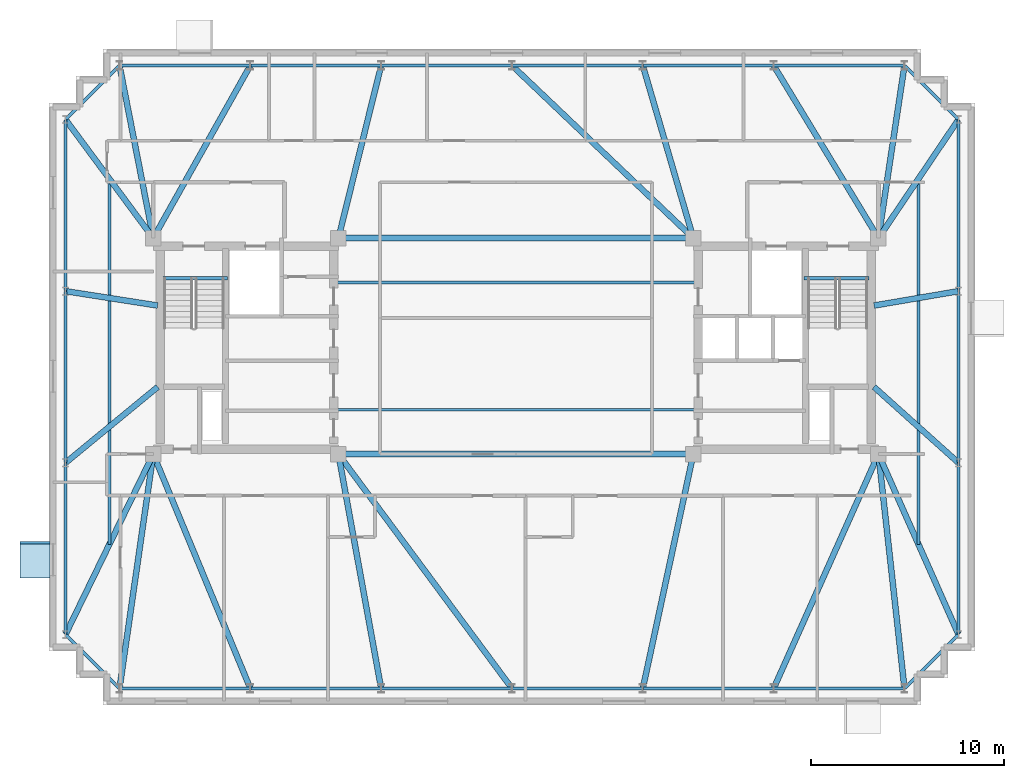
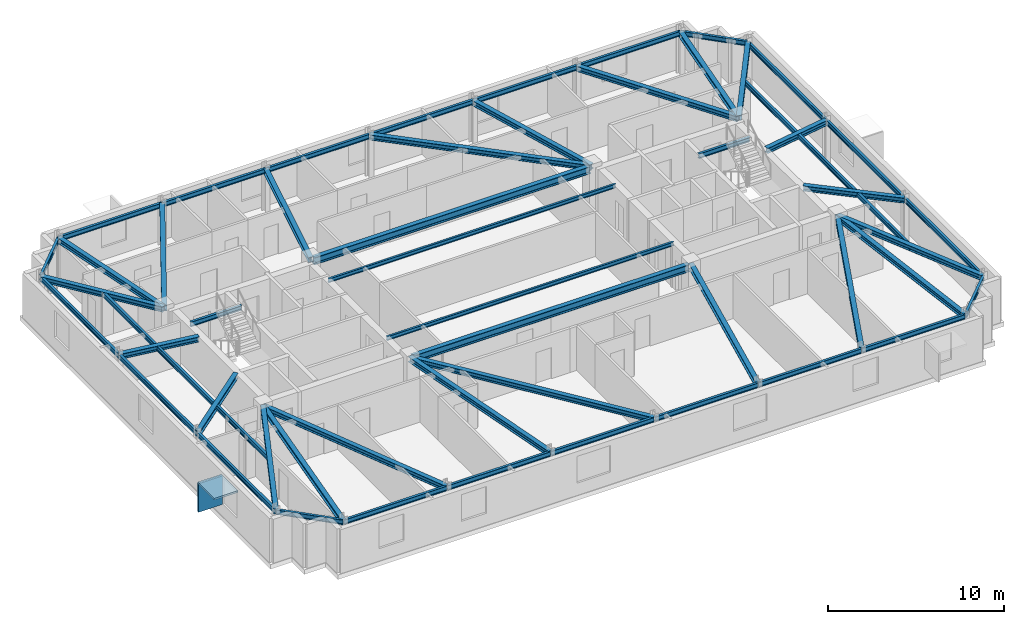
# One storey, part 4 of 11: 52 beams, 2 plates.
"""IFC4 building model written with IfcOpenShell, lengths in metres."""

from ifc_helpers import new_model, si_unit, direction, frame, origin, origin_2d, place, context, subcontext, project, spatial, rectangle, i_section, extrude, material, layer, layer_set, material_profile, profile_set, type_object, element, save


model = new_model("IFC4")

# Units and contexts
model_context = context("Model", 3, precision=1e-05, world=origin(), true_north=direction((0.0, 1.0)))
body_context = subcontext(model_context, "Body", "Model", "MODEL_VIEW")
ifc_project = project(units=[si_unit("LENGTHUNIT", "METRE"), si_unit("AREAUNIT", "SQUARE_METRE"), si_unit("VOLUMEUNIT", "CUBIC_METRE"), si_unit("PLANEANGLEUNIT", "RADIAN"), si_unit("MASSUNIT", "GRAM", prefix="KILO")], contexts=[model_context])

# Site, building, storey
site_placement = place(None, origin())
site = spatial("IfcSite", under=ifc_project, at=site_placement, CompositionType="ELEMENT")
building_placement = place(site_placement, origin())
building = spatial("IfcBuilding", under=site, at=building_placement, Name="Qobustan Lattice House", CompositionType="ELEMENT")
storey_placement = place(building_placement, frame((0.0, 0.0, 251.75)))
storey = spatial("IfcBuildingStorey", under=building, at=storey_placement, Name="L71", CompositionType="ELEMENT", Elevation=251.75)

# Beams
ifc_material_1 = material(Name="Steel S355", Category="steel")
ifc_material_profile_1 = material_profile(ifc_material_1, i_section(OverallWidth=0.300048828125, OverallDepth=0.5, WebThickness=0.014404296875, FlangeThickness=0.028076171875, FilletRadius=0.027099609375, at=origin_2d()), Name="HEB500")
ifc_profile_set_1 = profile_set([ifc_material_profile_1], Name="Steel S355")
beam_type_1 = type_object("IfcBeamType", Name="BM-CG-HEB500", PredefinedType="USERDEFINED", material=ifc_profile_set_1)
for number, where, z_axis, x_axis, name in (
    (1, (-9.050048828125, -5.60009765625, 2.7900390625), (1.0, 0.0, 0.0), (0.0, 1.0, 0.0), "L71 core spine girder CG-CS"),
    (2, (-9.050048828125, 5.60009765625, 2.7900390625), (1.0, 0.0, 0.0), (0.0, 1.0, 0.0), "L71 core spine girder CG-CN"),
):
    element("IfcBeam", number, at=place(storey_placement, frame(where, z_axis=z_axis, x_axis=x_axis)), inside=storey, type_object=beam_type_1, Name=name, ObjectType="GIRDER", PredefinedType="USERDEFINED", context=body_context, shape_type="SweptSolid", body=[
        extrude(i_section(OverallWidth=0.300048828125, OverallDepth=0.5, WebThickness=0.014404296875, FlangeThickness=0.028076171875, FilletRadius=0.027099609375, at=origin_2d()), origin(), (0.0, 0.0, 1.0), 18.10009765625),
    ])
ifc_material_2 = material(Name="Steel S355", Category="steel")
ifc_material_profile_2 = material_profile(ifc_material_2, i_section(OverallWidth=0.300048828125, OverallDepth=0.360107421875, WebThickness=0.012451171875, FlangeThickness=0.0224609375, FilletRadius=0.027099609375, at=origin_2d()), Name="HEB360")
ifc_profile_set_2 = profile_set([ifc_material_profile_2], Name="Steel S355")
beam_type_2 = type_object("IfcBeamType", Name="BM-FLG-HEB360", PredefinedType="USERDEFINED", material=ifc_profile_set_2)
beam_1_placement = place(storey_placement, frame((-20.54638671875, -17.725341796875, 2.860107421875), z_axis=(0.142545171265, 0.989788297642, 0.0), x_axis=(-0.989788297642, 0.142545171265, 0.0)))
element("IfcBeam", 3, at=beam_1_placement, inside=storey, type_object=beam_type_2, Name="L71 primary floor girder RAD-S1W", ObjectType="GIRDER", PredefinedType="USERDEFINED", context=body_context, shape_type="SweptSolid", body=[
    extrude(i_section(OverallWidth=0.300048828125, OverallDepth=0.360107421875, WebThickness=0.012451171875, FlangeThickness=0.0224609375, FilletRadius=0.027099609375, at=origin_2d()), origin(), (0.0, 0.0, 1.0), 12.225341796875),
])
beam_2_placement = place(storey_placement, frame((-13.7763671875, -17.726806640625, 2.860107421875), z_axis=(-0.38270783551, 0.92386942402, 0.0), x_axis=(-0.92386942402, -0.38270783551, 0.0)))
element("IfcBeam", 4, at=beam_2_placement, inside=storey, type_object=beam_type_2, Name="L71 primary floor girder RAD-S2", ObjectType="GIRDER", PredefinedType="USERDEFINED", context=body_context, shape_type="SweptSolid", body=[
    extrude(i_section(OverallWidth=0.300048828125, OverallDepth=0.360107421875, WebThickness=0.012451171875, FlangeThickness=0.0224609375, FilletRadius=0.027099609375, at=origin_2d()), origin(), (0.0, 0.0, 1.0), 13.10107421875),
])
beam_3_placement = place(storey_placement, frame((-6.98779296875, -17.725341796875, 2.860107421875), z_axis=(-0.179484493831, 0.983760802469, 0.0), x_axis=(-0.983760802469, -0.179484493831, 0.0)))
element("IfcBeam", 5, at=beam_3_placement, inside=storey, type_object=beam_type_2, Name="L71 primary floor girder RAD-S3", ObjectType="GIRDER", PredefinedType="USERDEFINED", context=body_context, shape_type="SweptSolid", body=[
    extrude(i_section(OverallWidth=0.300048828125, OverallDepth=0.360107421875, WebThickness=0.012451171875, FlangeThickness=0.0224609375, FilletRadius=0.027099609375, at=origin_2d()), origin(), (0.0, 0.0, 1.0), 12.300537109375),
])
beam_4_placement = place(storey_placement, frame((-0.21484375, -17.72998046875, 2.860107421875), z_axis=(-0.595225226069, 0.803558915233, 0.0), x_axis=(-0.803558915233, -0.595225226069, 0.0)))
element("IfcBeam", 6, at=beam_4_placement, inside=storey, type_object=beam_type_2, Name="L71 primary floor girder RAD-S4", ObjectType="GIRDER", PredefinedType="USERDEFINED", context=body_context, shape_type="SweptSolid", body=[
    extrude(i_section(OverallWidth=0.300048828125, OverallDepth=0.360107421875, WebThickness=0.012451171875, FlangeThickness=0.0224609375, FilletRadius=0.027099609375, at=origin_2d()), origin(), (0.0, 0.0, 1.0), 15.0703125),
])
beam_5_placement = place(storey_placement, frame((6.588623046875, -17.7255859375, 2.860107421875), z_axis=(0.210523018319, 0.977588900693, 0.0), x_axis=(-0.977588900693, 0.210523018319, 0.0)))
element("IfcBeam", 7, at=beam_5_placement, inside=storey, type_object=beam_type_2, Name="L71 primary floor girder RAD-S5", ObjectType="GIRDER", PredefinedType="USERDEFINED", context=body_context, shape_type="SweptSolid", body=[
    extrude(i_section(OverallWidth=0.300048828125, OverallDepth=0.360107421875, WebThickness=0.012451171875, FlangeThickness=0.0224609375, FilletRadius=0.027099609375, at=origin_2d()), origin(), (0.0, 0.0, 1.0), 12.37841796875),
])
beam_6_placement = place(storey_placement, frame((13.376953125, -17.727294921875, 2.860107421875), z_axis=(0.408219903586, 0.912883623643, 0.0), x_axis=(-0.912883623643, 0.408219903586, 0.0)))
element("IfcBeam", 8, at=beam_6_placement, inside=storey, type_object=beam_type_2, Name="L71 primary floor girder RAD-S6", ObjectType="GIRDER", PredefinedType="USERDEFINED", context=body_context, shape_type="SweptSolid", body=[
    extrude(i_section(OverallWidth=0.300048828125, OverallDepth=0.360107421875, WebThickness=0.012451171875, FlangeThickness=0.0224609375, FilletRadius=0.027099609375, at=origin_2d()), origin(), (0.0, 0.0, 1.0), 13.259521484375),
])
beam_7_placement = place(storey_placement, frame((20.147216796875, -17.72509765625, 2.860107421875), z_axis=(-0.110431526075, 0.993883734674, 0.0), x_axis=(-0.993883734674, -0.110431526075, 0.0)))
element("IfcBeam", 9, at=beam_7_placement, inside=storey, type_object=beam_type_2, Name="L71 primary floor girder RAD-S7E", ObjectType="GIRDER", PredefinedType="USERDEFINED", context=body_context, shape_type="SweptSolid", body=[
    extrude(i_section(OverallWidth=0.300048828125, OverallDepth=0.360107421875, WebThickness=0.012451171875, FlangeThickness=0.0224609375, FilletRadius=0.027099609375, at=origin_2d()), origin(), (0.0, 0.0, 1.0), 12.1748046875),
])
beam_8_placement = place(storey_placement, frame((-20.545166015625, 14.525390625, 2.860107421875), z_axis=(0.191905644581, -0.981413380578, 0.0), x_axis=(0.981413380578, 0.191905644581, 0.0)))
element("IfcBeam", 10, at=beam_8_placement, inside=storey, type_object=beam_type_2, Name="L71 primary floor girder RAD-N7W", ObjectType="GIRDER", PredefinedType="USERDEFINED", context=body_context, shape_type="SweptSolid", body=[
    extrude(i_section(OverallWidth=0.300048828125, OverallDepth=0.360107421875, WebThickness=0.012451171875, FlangeThickness=0.0224609375, FilletRadius=0.027099609375, at=origin_2d()), origin(), (0.0, 0.0, 1.0), 9.0693359375),
])
beam_9_placement = place(storey_placement, frame((-13.779052734375, 14.5283203125, 2.860107421875), z_axis=(-0.490160276962, -0.871632320929, 0.0), x_axis=(0.871632320929, -0.490160276962, 0.0)))
element("IfcBeam", 11, at=beam_9_placement, inside=storey, type_object=beam_type_2, Name="L71 primary floor girder RAD-N6", ObjectType="GIRDER", PredefinedType="USERDEFINED", context=body_context, shape_type="SweptSolid", body=[
    extrude(i_section(OverallWidth=0.300048828125, OverallDepth=0.360107421875, WebThickness=0.012451171875, FlangeThickness=0.0224609375, FilletRadius=0.027099609375, at=origin_2d()), origin(), (0.0, 0.0, 1.0), 10.21826171875),
])
beam_10_placement = place(storey_placement, frame((-6.9892578125, 14.525634765625, 2.860107421875), z_axis=(-0.240430288899, -0.970666408289, 0.0), x_axis=(0.970666408289, -0.240430288899, 0.0)))
element("IfcBeam", 12, at=beam_10_placement, inside=storey, type_object=beam_type_2, Name="L71 primary floor girder RAD-N5", ObjectType="GIRDER", PredefinedType="USERDEFINED", context=body_context, shape_type="SweptSolid", body=[
    extrude(i_section(OverallWidth=0.300048828125, OverallDepth=0.360107421875, WebThickness=0.012451171875, FlangeThickness=0.0224609375, FilletRadius=0.027099609375, at=origin_2d()), origin(), (0.0, 0.0, 1.0), 9.17041015625),
])
beam_11_placement = place(storey_placement, frame((-0.181884765625, 14.53271484375, 2.860107421875), z_axis=(0.724228633775, -0.689559921995, 0.0), x_axis=(0.689559921995, 0.724228633775, 0.0)))
element("IfcBeam", 13, at=beam_11_placement, inside=storey, type_object=beam_type_2, Name="L71 primary floor girder RAD-N4", ObjectType="GIRDER", PredefinedType="USERDEFINED", context=body_context, shape_type="SweptSolid", body=[
    extrude(i_section(OverallWidth=0.300048828125, OverallDepth=0.360107421875, WebThickness=0.012451171875, FlangeThickness=0.0224609375, FilletRadius=0.027099609375, at=origin_2d()), origin(), (0.0, 0.0, 1.0), 12.92919921875),
])
beam_12_placement = place(storey_placement, frame((6.59033203125, 14.52587890625, 2.860107421875), z_axis=(0.28063676088, -0.959814048888, 0.0), x_axis=(0.959814048888, 0.28063676088, 0.0)))
element("IfcBeam", 14, at=beam_12_placement, inside=storey, type_object=beam_type_2, Name="L71 primary floor girder RAD-N3", ObjectType="GIRDER", PredefinedType="USERDEFINED", context=body_context, shape_type="SweptSolid", body=[
    extrude(i_section(OverallWidth=0.300048828125, OverallDepth=0.360107421875, WebThickness=0.012451171875, FlangeThickness=0.0224609375, FilletRadius=0.027099609375, at=origin_2d()), origin(), (0.0, 0.0, 1.0), 9.274658203125),
])
beam_13_placement = place(storey_placement, frame((13.379638671875, 14.528564453125, 2.860107421875), z_axis=(0.518943895492, -0.854808302096, 0.0), x_axis=(0.854808302096, 0.518943895492, 0.0)))
element("IfcBeam", 15, at=beam_13_placement, inside=storey, type_object=beam_type_2, Name="L71 primary floor girder RAD-N2", ObjectType="GIRDER", PredefinedType="USERDEFINED", context=body_context, shape_type="SweptSolid", body=[
    extrude(i_section(OverallWidth=0.300048828125, OverallDepth=0.360107421875, WebThickness=0.012451171875, FlangeThickness=0.0224609375, FilletRadius=0.027099609375, at=origin_2d()), origin(), (0.0, 0.0, 1.0), 10.420166015625),
])
beam_14_placement = place(storey_placement, frame((20.146240234375, 14.525390625, 2.860107421875), z_axis=(-0.149148118249, -0.988814865798, 0.0), x_axis=(0.988814865798, -0.149148118249, 0.0)))
element("IfcBeam", 16, at=beam_14_placement, inside=storey, type_object=beam_type_2, Name="L71 primary floor girder RAD-N1E", ObjectType="GIRDER", PredefinedType="USERDEFINED", context=body_context, shape_type="SweptSolid", body=[
    extrude(i_section(OverallWidth=0.300048828125, OverallDepth=0.360107421875, WebThickness=0.012451171875, FlangeThickness=0.0224609375, FilletRadius=0.027099609375, at=origin_2d()), origin(), (0.0, 0.0, 1.0), 9.001220703125),
])
beam_15_placement = place(storey_placement, frame((-23.335205078125, 11.72998046875, 2.860107421875), z_axis=(0.594754993974, -0.80390702021, 0.0), x_axis=(0.80390702021, 0.594754993974, 0.0)))
element("IfcBeam", 17, at=beam_15_placement, inside=storey, type_object=beam_type_2, Name="L71 primary floor girder RAD-W1", ObjectType="GIRDER", PredefinedType="USERDEFINED", context=body_context, shape_type="SweptSolid", body=[
    extrude(i_section(OverallWidth=0.300048828125, OverallDepth=0.360107421875, WebThickness=0.012451171875, FlangeThickness=0.0224609375, FilletRadius=0.027099609375, at=origin_2d()), origin(), (0.0, 0.0, 1.0), 7.60009765625),
])
beam_16_placement = place(storey_placement, frame((-23.3251953125, 2.84619140625, 2.860107421875), z_axis=(0.988014453876, -0.154361390677, 0.0), x_axis=(0.154361390677, 0.988014453876, 0.0)))
element("IfcBeam", 18, at=beam_16_placement, inside=storey, type_object=beam_type_2, Name="L71 primary floor girder RAD-W2", ObjectType="GIRDER", PredefinedType="USERDEFINED", context=body_context, shape_type="SweptSolid", body=[
    extrude(i_section(OverallWidth=0.300048828125, OverallDepth=0.360107421875, WebThickness=0.012451171875, FlangeThickness=0.0224609375, FilletRadius=0.027099609375, at=origin_2d()), origin(), (0.0, 0.0, 1.0), 4.80810546875),
])
beam_17_placement = place(storey_placement, frame((-23.330810546875, -6.0341796875, 2.860107421875), z_axis=(0.772169041192, 0.635417163621, 0.0), x_axis=(-0.635417163621, 0.772169041192, 0.0)))
element("IfcBeam", 19, at=beam_17_placement, inside=storey, type_object=beam_type_2, Name="L71 primary floor girder RAD-W3", ObjectType="GIRDER", PredefinedType="USERDEFINED", context=body_context, shape_type="SweptSolid", body=[
    extrude(i_section(OverallWidth=0.300048828125, OverallDepth=0.360107421875, WebThickness=0.012451171875, FlangeThickness=0.0224609375, FilletRadius=0.027099609375, at=origin_2d()), origin(), (0.0, 0.0, 1.0), 6.166259765625),
])
beam_18_placement = place(storey_placement, frame((-23.339111328125, -14.927490234375, 2.860107421875), z_axis=(0.437590490598, 0.899174378271, 0.0), x_axis=(-0.899174378271, 0.437590490598, 0.0)))
element("IfcBeam", 20, at=beam_18_placement, inside=storey, type_object=beam_type_2, Name="L71 primary floor girder RAD-W4", ObjectType="GIRDER", PredefinedType="USERDEFINED", context=body_context, shape_type="SweptSolid", body=[
    extrude(i_section(OverallWidth=0.300048828125, OverallDepth=0.360107421875, WebThickness=0.012451171875, FlangeThickness=0.0224609375, FilletRadius=0.027099609375, at=origin_2d()), origin(), (0.0, 0.0, 1.0), 10.348388671875),
])
beam_19_placement = place(storey_placement, frame((22.93603515625, 11.729248046875, 2.860107421875), z_axis=(-0.559355068937, -0.828928167488, 0.0), x_axis=(0.828928167488, -0.559355068937, 0.0)))
element("IfcBeam", 21, at=beam_19_placement, inside=storey, type_object=beam_type_2, Name="L71 primary floor girder RAD-E4", ObjectType="GIRDER", PredefinedType="USERDEFINED", context=body_context, shape_type="SweptSolid", body=[
    extrude(i_section(OverallWidth=0.300048828125, OverallDepth=0.360107421875, WebThickness=0.012451171875, FlangeThickness=0.0224609375, FilletRadius=0.027099609375, at=origin_2d()), origin(), (0.0, 0.0, 1.0), 7.369384765625),
])
beam_20_placement = place(storey_placement, frame((22.92529296875, 2.845703125, 2.860107421875), z_axis=(-0.985786297247, -0.168004095664, 0.0), x_axis=(0.168004095664, -0.985786297247, 0.0)))
element("IfcBeam", 22, at=beam_20_placement, inside=storey, type_object=beam_type_2, Name="L71 primary floor girder RAD-E3", ObjectType="GIRDER", PredefinedType="USERDEFINED", context=body_context, shape_type="SweptSolid", body=[
    extrude(i_section(OverallWidth=0.300048828125, OverallDepth=0.360107421875, WebThickness=0.012451171875, FlangeThickness=0.0224609375, FilletRadius=0.027099609375, at=origin_2d()), origin(), (0.0, 0.0, 1.0), 4.413330078125),
])
beam_21_placement = place(storey_placement, frame((22.931396484375, -6.033203125, 2.860107421875), z_axis=(-0.744142492307, 0.668020921186, 0.0), x_axis=(-0.668020921186, -0.744142492307, 0.0)))
element("IfcBeam", 23, at=beam_21_placement, inside=storey, type_object=beam_type_2, Name="L71 primary floor girder RAD-E2", ObjectType="GIRDER", PredefinedType="USERDEFINED", context=body_context, shape_type="SweptSolid", body=[
    extrude(i_section(OverallWidth=0.300048828125, OverallDepth=0.360107421875, WebThickness=0.012451171875, FlangeThickness=0.0224609375, FilletRadius=0.027099609375, at=origin_2d()), origin(), (0.0, 0.0, 1.0), 5.86279296875),
])
beam_22_placement = place(storey_placement, frame((22.93994140625, -14.927001953125, 2.860107421875), z_axis=(-0.405702269061, 0.914005289306, 0.0), x_axis=(-0.914005289306, -0.405702269061, 0.0)))
element("IfcBeam", 24, at=beam_22_placement, inside=storey, type_object=beam_type_2, Name="L71 primary floor girder RAD-E1", ObjectType="GIRDER", PredefinedType="USERDEFINED", context=body_context, shape_type="SweptSolid", body=[
    extrude(i_section(OverallWidth=0.300048828125, OverallDepth=0.360107421875, WebThickness=0.012451171875, FlangeThickness=0.0224609375, FilletRadius=0.027099609375, at=origin_2d()), origin(), (0.0, 0.0, 1.0), 10.1796875),
])
ifc_material_3 = material(Name="Steel S355", Category="steel")
ifc_material_profile_3 = material_profile(ifc_material_3, i_section(OverallWidth=0.135009765625, OverallDepth=0.27001953125, WebThickness=0.006591796875, FlangeThickness=0.01025390625, FilletRadius=0.014892578125, at=origin_2d()), Name="IPE270")
ifc_profile_set_3 = profile_set([ifc_material_profile_3], Name="Steel S355")
beam_type_3 = type_object("IfcBeamType", Name="BM-JST-IPE270", PredefinedType="JOIST", material=ifc_profile_set_3)
for number, where, z_axis, x_axis, name in (
    (25, (-9.39990234375, -3.300048828125, 2.905029296875), (1.0, 0.0, 0.0), (0.0, 1.0, 0.0), "L71 central span floor joist 1"),
    (26, (-9.39990234375, 3.300048828125, 2.905029296875), (1.0, 0.0, 0.0), (0.0, 1.0, 0.0), "L71 central span floor joist 2"),
):
    element("IfcBeam", number, at=place(storey_placement, frame(where, z_axis=z_axis, x_axis=x_axis)), inside=storey, type_object=beam_type_3, Name=name, PredefinedType="JOIST", context=body_context, shape_type="SweptSolid", body=[
        extrude(i_section(OverallWidth=0.135009765625, OverallDepth=0.27001953125, WebThickness=0.006591796875, FlangeThickness=0.01025390625, FilletRadius=0.014892578125, at=origin_2d()), origin(), (0.0, 0.0, 1.0), 18.7998046875),
    ])
ifc_material_4 = material(Name="Steel S355", Category="steel")
ifc_material_profile_4 = material_profile(ifc_material_4, i_section(OverallWidth=0.159912109375, OverallDepth=0.330078125, WebThickness=0.007568359375, FlangeThickness=0.011474609375, FilletRadius=0.01806640625, at=origin_2d()), Name="IPE330")
ifc_profile_set_4 = profile_set([ifc_material_profile_4], Name="Steel S355")
beam_type_4 = type_object("IfcBeamType", Name="BM-SEC-IPE330", PredefinedType="BEAM", material=ifc_profile_set_4)
for number, where, z_axis, x_axis, name in (
    (27, (-21.074951171875, 8.675048828125, 2.875), (0.0, -1.0, 0.0), (1.0, 0.0, 0.0), "L71 west wing secondary beam"),
    (28, (20.875, 8.675048828125, 2.875), (0.0, -1.0, 0.0), (1.0, 0.0, 0.0), "L71 east wing secondary beam"),
):
    element("IfcBeam", number, at=place(storey_placement, frame(where, z_axis=z_axis, x_axis=x_axis)), inside=storey, type_object=beam_type_4, Name=name, PredefinedType="BEAM", context=body_context, shape_type="SweptSolid", body=[
        extrude(i_section(OverallWidth=0.159912109375, OverallDepth=0.330078125, WebThickness=0.007568359375, FlangeThickness=0.011474609375, FilletRadius=0.01806640625, at=origin_2d()), origin(), (0.0, 0.0, 1.0), 18.949951171875),
    ])
ifc_material_5 = material(Name="Steel S355", Category="steel")
ifc_material_profile_5 = material_profile(ifc_material_5, i_section(OverallWidth=0.159912109375, OverallDepth=0.330078125, WebThickness=0.007568359375, FlangeThickness=0.011474609375, FilletRadius=0.01806640625, at=origin_2d()), Name="IPE330")
ifc_profile_set_5 = profile_set([ifc_material_profile_5], Name="Steel S355")
beam_type_5 = type_object("IfcBeamType", Name="BM-SPD-IPE330", PredefinedType="SPANDREL", material=ifc_profile_set_5)
for number, where, z_axis, x_axis, name in (
    (29, (-18.300048828125, 3.52001953125, 2.875), (1.0, 0.0, 0.0), (0.0, 1.0, 0.0), "L71 west stair landing trimmer beam"),
    (30, (14.949951171875, 3.52001953125, 2.875), (1.0, 0.0, 0.0), (0.0, 1.0, 0.0), "L71 east stair landing trimmer beam"),
):
    element("IfcBeam", number, at=place(storey_placement, frame(where, z_axis=z_axis, x_axis=x_axis)), inside=storey, type_object=beam_type_5, Name=name, PredefinedType="SPANDREL", context=body_context, shape_type="SweptSolid", body=[
        extrude(i_section(OverallWidth=0.159912109375, OverallDepth=0.330078125, WebThickness=0.007568359375, FlangeThickness=0.011474609375, FilletRadius=0.01806640625, at=origin_2d()), origin(), (0.0, 0.0, 1.0), 3.35009765625),
    ])
beam_23_placement = place(storey_placement, frame((-20.52490234375, -17.75, 2.875), z_axis=(1.0, 0.0, 0.0), x_axis=(0.0, 1.0, 0.0)))
element("IfcBeam", 31, at=beam_23_placement, inside=storey, type_object=beam_type_5, Name="L71 perimeter spandrel S1-S2", PredefinedType="SPANDREL", context=body_context, shape_type="SweptSolid", body=[
    extrude(i_section(OverallWidth=0.159912109375, OverallDepth=0.330078125, WebThickness=0.007568359375, FlangeThickness=0.011474609375, FilletRadius=0.01806640625, at=origin_2d()), origin(), (0.0, 0.0, 1.0), 6.733154296875),
])
beam_24_placement = place(storey_placement, frame((-13.74169921875, -17.75, 2.875), z_axis=(1.0, 0.0, 0.0), x_axis=(0.0, 1.0, 0.0)))
element("IfcBeam", 32, at=beam_24_placement, inside=storey, type_object=beam_type_5, Name="L71 perimeter spandrel S2-S3", PredefinedType="SPANDREL", context=body_context, shape_type="SweptSolid", body=[
    extrude(i_section(OverallWidth=0.159912109375, OverallDepth=0.330078125, WebThickness=0.007568359375, FlangeThickness=0.011474609375, FilletRadius=0.01806640625, at=origin_2d()), origin(), (0.0, 0.0, 1.0), 6.7333984375),
])
beam_25_placement = place(storey_placement, frame((-6.958251953125, -17.75, 2.875), z_axis=(1.0, 0.0, 0.0), x_axis=(0.0, 1.0, 0.0)))
element("IfcBeam", 33, at=beam_25_placement, inside=storey, type_object=beam_type_5, Name="L71 perimeter spandrel S3-S4", PredefinedType="SPANDREL", context=body_context, shape_type="SweptSolid", body=[
    extrude(i_section(OverallWidth=0.159912109375, OverallDepth=0.330078125, WebThickness=0.007568359375, FlangeThickness=0.011474609375, FilletRadius=0.01806640625, at=origin_2d()), origin(), (0.0, 0.0, 1.0), 6.733154296875),
])
for number, where, z_axis, x_axis, name in (
    (34, (-0.175048828125, -17.75, 2.875), (1.0, 0.0, 0.0), (0.0, 1.0, 0.0), "L71 perimeter spandrel S4-S5"),
    (35, (6.6083984375, -17.75, 2.875), (1.0, 0.0, 0.0), (0.0, 1.0, 0.0), "L71 perimeter spandrel S5-S6"),
    (36, (13.3916015625, -17.75, 2.875), (1.0, 0.0, 0.0), (0.0, 1.0, 0.0), "L71 perimeter spandrel S6-S7"),
):
    element("IfcBeam", number, at=place(storey_placement, frame(where, z_axis=z_axis, x_axis=x_axis)), inside=storey, type_object=beam_type_5, Name=name, PredefinedType="SPANDREL", context=body_context, shape_type="SweptSolid", body=[
        extrude(i_section(OverallWidth=0.159912109375, OverallDepth=0.330078125, WebThickness=0.007568359375, FlangeThickness=0.011474609375, FilletRadius=0.01806640625, at=origin_2d()), origin(), (0.0, 0.0, 1.0), 6.7333984375),
    ])
beam_26_placement = place(storey_placement, frame((20.167724609375, -17.732421875, 2.875), z_axis=(0.707106781187, 0.707106781187, 0.0), x_axis=(-0.707106781187, 0.707106781187, 0.0)))
element("IfcBeam", 37, at=beam_26_placement, inside=storey, type_object=beam_type_5, Name="L71 perimeter spandrel S7-E1", PredefinedType="SPANDREL", context=body_context, shape_type="SweptSolid", body=[
    extrude(i_section(OverallWidth=0.159912109375, OverallDepth=0.330078125, WebThickness=0.007568359375, FlangeThickness=0.011474609375, FilletRadius=0.01806640625, at=origin_2d()), origin(), (0.0, 0.0, 1.0), 3.909912109375),
])
beam_27_placement = place(storey_placement, frame((22.949951171875, -14.925048828125, 2.875), z_axis=(0.0, 1.0, 0.0), x_axis=(-1.0, 0.0, 0.0)))
element("IfcBeam", 38, at=beam_27_placement, inside=storey, type_object=beam_type_5, Name="L71 perimeter spandrel E1-E2", PredefinedType="SPANDREL", context=body_context, shape_type="SweptSolid", body=[
    extrude(i_section(OverallWidth=0.159912109375, OverallDepth=0.330078125, WebThickness=0.007568359375, FlangeThickness=0.011474609375, FilletRadius=0.01806640625, at=origin_2d()), origin(), (0.0, 0.0, 1.0), 8.85009765625),
])
beam_28_placement = place(storey_placement, frame((22.949951171875, -6.02490234375, 2.875), z_axis=(0.0, 1.0, 0.0), x_axis=(-1.0, 0.0, 0.0)))
element("IfcBeam", 39, at=beam_28_placement, inside=storey, type_object=beam_type_5, Name="L71 perimeter spandrel E2-E3", PredefinedType="SPANDREL", context=body_context, shape_type="SweptSolid", body=[
    extrude(i_section(OverallWidth=0.159912109375, OverallDepth=0.330078125, WebThickness=0.007568359375, FlangeThickness=0.011474609375, FilletRadius=0.01806640625, at=origin_2d()), origin(), (0.0, 0.0, 1.0), 8.849853515625),
])
beam_29_placement = place(storey_placement, frame((22.949951171875, 2.875, 2.875), z_axis=(0.0, 1.0, 0.0), x_axis=(-1.0, 0.0, 0.0)))
element("IfcBeam", 40, at=beam_29_placement, inside=storey, type_object=beam_type_5, Name="L71 perimeter spandrel E3-E4", PredefinedType="SPANDREL", context=body_context, shape_type="SweptSolid", body=[
    extrude(i_section(OverallWidth=0.159912109375, OverallDepth=0.330078125, WebThickness=0.007568359375, FlangeThickness=0.011474609375, FilletRadius=0.01806640625, at=origin_2d()), origin(), (0.0, 0.0, 1.0), 8.85009765625),
])
beam_30_placement = place(storey_placement, frame((22.932373046875, 11.767578125, 2.875), z_axis=(-0.707106781187, 0.707106781187, 0.0), x_axis=(-0.707106781187, -0.707106781187, 0.0)))
element("IfcBeam", 41, at=beam_30_placement, inside=storey, type_object=beam_type_5, Name="L71 perimeter spandrel E4-N1", PredefinedType="SPANDREL", context=body_context, shape_type="SweptSolid", body=[
    extrude(i_section(OverallWidth=0.159912109375, OverallDepth=0.330078125, WebThickness=0.007568359375, FlangeThickness=0.011474609375, FilletRadius=0.01806640625, at=origin_2d()), origin(), (0.0, 0.0, 1.0), 3.909912109375),
])
for number, where, z_axis, x_axis, name in (
    (42, (20.125, 14.550048828125, 2.875), (-1.0, 0.0, 0.0), (0.0, -1.0, 0.0), "L71 perimeter spandrel N1-N2"),
    (43, (13.341796875, 14.550048828125, 2.875), (-1.0, 0.0, 0.0), (0.0, -1.0, 0.0), "L71 perimeter spandrel N2-N3"),
    (44, (6.558349609375, 14.550048828125, 2.875), (-1.0, 0.0, 0.0), (0.0, -1.0, 0.0), "L71 perimeter spandrel N3-N4"),
):
    element("IfcBeam", number, at=place(storey_placement, frame(where, z_axis=z_axis, x_axis=x_axis)), inside=storey, type_object=beam_type_5, Name=name, PredefinedType="SPANDREL", context=body_context, shape_type="SweptSolid", body=[
        extrude(i_section(OverallWidth=0.159912109375, OverallDepth=0.330078125, WebThickness=0.007568359375, FlangeThickness=0.011474609375, FilletRadius=0.01806640625, at=origin_2d()), origin(), (0.0, 0.0, 1.0), 6.7333984375),
    ])
beam_31_placement = place(storey_placement, frame((-0.22509765625, 14.550048828125, 2.875), z_axis=(-1.0, 0.0, 0.0), x_axis=(0.0, -1.0, 0.0)))
element("IfcBeam", 45, at=beam_31_placement, inside=storey, type_object=beam_type_5, Name="L71 perimeter spandrel N4-N5", PredefinedType="SPANDREL", context=body_context, shape_type="SweptSolid", body=[
    extrude(i_section(OverallWidth=0.159912109375, OverallDepth=0.330078125, WebThickness=0.007568359375, FlangeThickness=0.011474609375, FilletRadius=0.01806640625, at=origin_2d()), origin(), (0.0, 0.0, 1.0), 6.733154296875),
])
beam_32_placement = place(storey_placement, frame((-7.00830078125, 14.550048828125, 2.875), z_axis=(-1.0, 0.0, 0.0), x_axis=(0.0, -1.0, 0.0)))
element("IfcBeam", 46, at=beam_32_placement, inside=storey, type_object=beam_type_5, Name="L71 perimeter spandrel N5-N6", PredefinedType="SPANDREL", context=body_context, shape_type="SweptSolid", body=[
    extrude(i_section(OverallWidth=0.159912109375, OverallDepth=0.330078125, WebThickness=0.007568359375, FlangeThickness=0.011474609375, FilletRadius=0.01806640625, at=origin_2d()), origin(), (0.0, 0.0, 1.0), 6.7333984375),
])
beam_33_placement = place(storey_placement, frame((-13.791748046875, 14.550048828125, 2.875), z_axis=(-1.0, 0.0, 0.0), x_axis=(0.0, -1.0, 0.0)))
element("IfcBeam", 47, at=beam_33_placement, inside=storey, type_object=beam_type_5, Name="L71 perimeter spandrel N6-N7", PredefinedType="SPANDREL", context=body_context, shape_type="SweptSolid", body=[
    extrude(i_section(OverallWidth=0.159912109375, OverallDepth=0.330078125, WebThickness=0.007568359375, FlangeThickness=0.011474609375, FilletRadius=0.01806640625, at=origin_2d()), origin(), (0.0, 0.0, 1.0), 6.733154296875),
])
beam_34_placement = place(storey_placement, frame((-20.567626953125, 14.5322265625, 2.875), z_axis=(-0.707106781187, -0.707106781187, 0.0), x_axis=(0.707106781187, -0.707106781187, 0.0)))
element("IfcBeam", 48, at=beam_34_placement, inside=storey, type_object=beam_type_5, Name="L71 perimeter spandrel N7-W1", PredefinedType="SPANDREL", context=body_context, shape_type="SweptSolid", body=[
    extrude(i_section(OverallWidth=0.159912109375, OverallDepth=0.330078125, WebThickness=0.007568359375, FlangeThickness=0.011474609375, FilletRadius=0.01806640625, at=origin_2d()), origin(), (0.0, 0.0, 1.0), 3.909912109375),
])
beam_35_placement = place(storey_placement, frame((-23.35009765625, 11.72509765625, 2.875), z_axis=(0.0, -1.0, 0.0), x_axis=(1.0, 0.0, 0.0)))
element("IfcBeam", 49, at=beam_35_placement, inside=storey, type_object=beam_type_5, Name="L71 perimeter spandrel W1-W2", PredefinedType="SPANDREL", context=body_context, shape_type="SweptSolid", body=[
    extrude(i_section(OverallWidth=0.159912109375, OverallDepth=0.330078125, WebThickness=0.007568359375, FlangeThickness=0.011474609375, FilletRadius=0.01806640625, at=origin_2d()), origin(), (0.0, 0.0, 1.0), 8.85009765625),
])
beam_36_placement = place(storey_placement, frame((-23.35009765625, 2.824951171875, 2.875), z_axis=(0.0, -1.0, 0.0), x_axis=(1.0, 0.0, 0.0)))
element("IfcBeam", 50, at=beam_36_placement, inside=storey, type_object=beam_type_5, Name="L71 perimeter spandrel W2-W3", PredefinedType="SPANDREL", context=body_context, shape_type="SweptSolid", body=[
    extrude(i_section(OverallWidth=0.159912109375, OverallDepth=0.330078125, WebThickness=0.007568359375, FlangeThickness=0.011474609375, FilletRadius=0.01806640625, at=origin_2d()), origin(), (0.0, 0.0, 1.0), 8.849853515625),
])
beam_37_placement = place(storey_placement, frame((-23.35009765625, -6.074951171875, 2.875), z_axis=(0.0, -1.0, 0.0), x_axis=(1.0, 0.0, 0.0)))
element("IfcBeam", 51, at=beam_37_placement, inside=storey, type_object=beam_type_5, Name="L71 perimeter spandrel W3-W4", PredefinedType="SPANDREL", context=body_context, shape_type="SweptSolid", body=[
    extrude(i_section(OverallWidth=0.159912109375, OverallDepth=0.330078125, WebThickness=0.007568359375, FlangeThickness=0.011474609375, FilletRadius=0.01806640625, at=origin_2d()), origin(), (0.0, 0.0, 1.0), 8.85009765625),
])
beam_38_placement = place(storey_placement, frame((-23.332275390625, -14.9677734375, 2.875), z_axis=(0.707106781187, -0.707106781187, 0.0), x_axis=(0.707106781187, 0.707106781187, 0.0)))
element("IfcBeam", 52, at=beam_38_placement, inside=storey, type_object=beam_type_5, Name="L71 perimeter spandrel W4-S1", PredefinedType="SPANDREL", context=body_context, shape_type="SweptSolid", body=[
    extrude(i_section(OverallWidth=0.159912109375, OverallDepth=0.330078125, WebThickness=0.007568359375, FlangeThickness=0.011474609375, FilletRadius=0.01806640625, at=origin_2d()), origin(), (0.0, 0.0, 1.0), 3.909912109375),
])

# Plates
ifc_material_6 = material(Name="Qobustan limestone GFRC", Category="masonry")
ifc_layer = layer(ifc_material_6, 0.1201171875)
ifc_layer_set = layer_set([ifc_layer], Name="Qobustan limestone GFRC")
plate_type = type_object("IfcPlateType", Name="SHD-HOOD-BROW", PredefinedType="USERDEFINED", material=ifc_layer_set)
plate_1_placement = place(storey_placement, frame((-24.929931640625, -11.080078125, 2.699951171875), z_axis=(0.0, 0.0, 1.0), x_axis=(0.0, 1.0, 0.0)))
element("IfcPlate", 53, at=plate_1_placement, inside=storey, type_object=plate_type, Name="L71 splayed Qobustan stone hood brow", ObjectType="SUNSHADE", PredefinedType="USERDEFINED", context=body_context, shape_type="SweptSolid", body=[
    extrude(rectangle(XDim=1.889892578125, YDim=1.56005859375, at=origin_2d()), origin(), (0.0, 0.0, 1.0), 0.1201171875),
])
plate_2_placement = place(storey_placement, frame((-24.929931640625, -10.195068359375, 0.7900390625), z_axis=(0.0, 0.0, 1.0), x_axis=(0.0, 1.0, 0.0)))
element("IfcPlate", 54, at=plate_2_placement, inside=storey, type_object=plate_type, Name="L71 splayed Qobustan stone hood cheek", ObjectType="SUNSHADE", PredefinedType="USERDEFINED", context=body_context, shape_type="SweptSolid", body=[
    extrude(rectangle(XDim=0.1201171875, YDim=1.56005859375, at=origin_2d()), origin(), (0.0, 0.0, 1.0), 1.969970703125),
])

save(model, "model.ifc")
